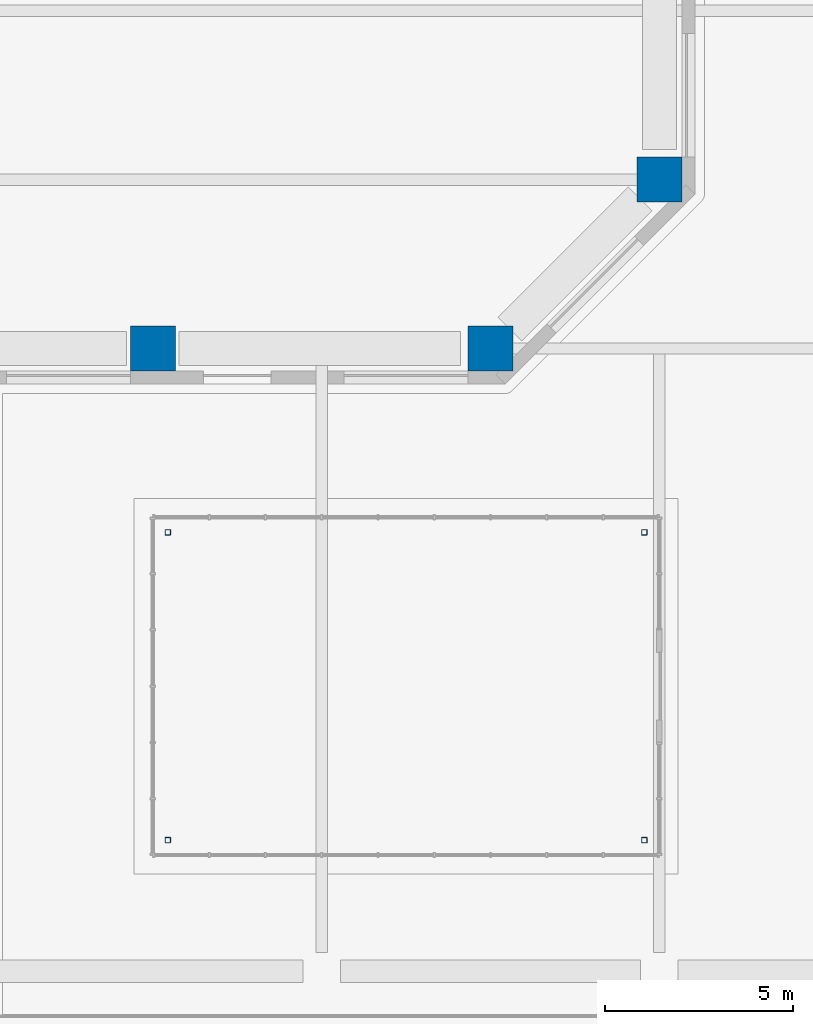
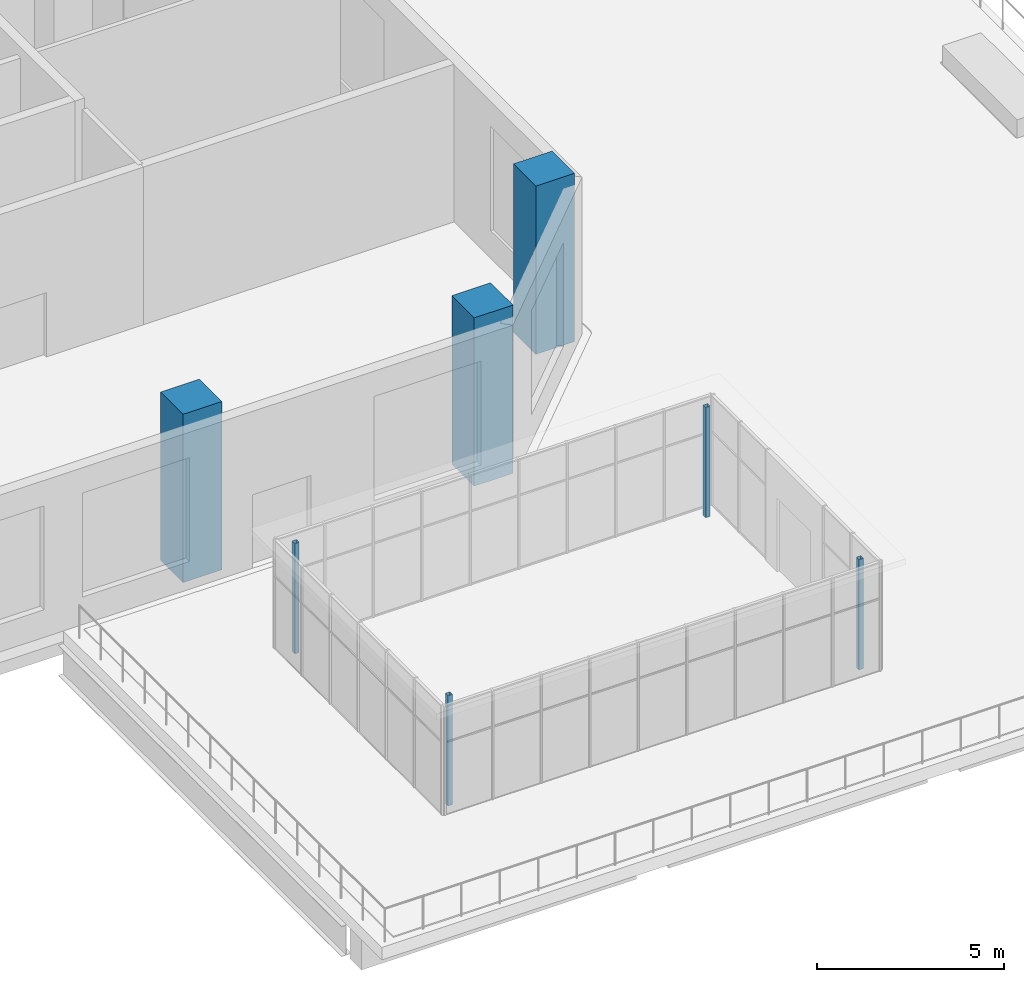
# One storey, part 3 of 33: 7 columns.
"""IFC4 building model written with IfcOpenShell, lengths in metres."""

from ifc_helpers import new_model, si_unit, direction, frame, origin, origin_2d, place, context, subcontext, project, spatial, rectangle, hollow_rectangle, extrude, material, material_profile, profile_set, type_object, element, save


model = new_model("IFC4")

# Units and contexts
model_context = context("Model", 3, precision=1e-05, world=origin(), true_north=direction((0.0, 1.0)))
body_context = subcontext(model_context, "Body", "Model", "MODEL_VIEW")
ifc_project = project(units=[si_unit("LENGTHUNIT", "METRE"), si_unit("AREAUNIT", "SQUARE_METRE"), si_unit("VOLUMEUNIT", "CUBIC_METRE"), si_unit("PLANEANGLEUNIT", "RADIAN"), si_unit("MASSUNIT", "GRAM", prefix="KILO")], contexts=[model_context])

# Site, building, storey
site_placement = place(None, origin())
site = spatial("IfcSite", under=ifc_project, at=site_placement, CompositionType="ELEMENT")
building_placement = place(site_placement, origin())
building = spatial("IfcBuilding", under=site, at=building_placement, Name="Quoin Convention Tower", CompositionType="ELEMENT")
storey_placement = place(building_placement, frame((0.0, 0.0, 8.0)))
storey = spatial("IfcBuildingStorey", under=building, at=storey_placement, Name="L01", CompositionType="ELEMENT", Elevation=8.0)

# Columns
ifc_material_1 = material(Name="Steel Grade 350", Category="steel")
ifc_material_profile_1 = material_profile(ifc_material_1, hollow_rectangle(XDim=0.14990234375, YDim=0.14990234375, WallThickness=0.008056640625, InnerFilletRadius=0.011962890625, OuterFilletRadius=0.02001953125, at=origin_2d()), Name="150x150x8.0SHS")
ifc_profile_set_1 = profile_set([ifc_material_profile_1], Name="Steel Grade 350")
column_type_1 = type_object("IfcColumnType", Name="Pavilion column 150x150x8.0SHS", PredefinedType="COLUMN", material=ifc_profile_set_1)
for number, where, z_axis, x_axis, name in (
    (1, (67.89990234375, 4.89990234375, 0.0), (0.0, 0.0, 1.0), (1.0, 0.0, 0.0), "col-PAV-E1"),
    (2, (67.89990234375, 13.10009765625, 0.0), (0.0, 0.0, 1.0), (1.0, 0.0, 0.0), "col-PAV-E2"),
    (3, (80.60009765625, 4.89990234375, 0.0), (0.0, 0.0, 1.0), (1.0, 0.0, 0.0), "col-PAV-E3"),
    (4, (80.60009765625, 13.10009765625, 0.0), (0.0, 0.0, 1.0), (1.0, 0.0, 0.0), "col-PAV-E4"),
):
    element("IfcColumn", number, at=place(storey_placement, frame(where, z_axis=z_axis, x_axis=x_axis)), inside=storey, type_object=column_type_1, Name=name, PredefinedType="COLUMN", context=body_context, shape_type="SweptSolid", body=[
        extrude(hollow_rectangle(XDim=0.14990234375, YDim=0.14990234375, WallThickness=0.008056640625, InnerFilletRadius=0.011962890625, OuterFilletRadius=0.02001953125, at=origin_2d()), origin(), (0.0, 0.0, 1.0), 3.60009765625),
    ])
ifc_material_2 = material(Name="Concrete C100 (100 MPa)", Category="concrete")
ifc_material_profile_2 = material_profile(ifc_material_2, rectangle(XDim=1.199951171875, YDim=1.199951171875, at=origin_2d()), Name="RC 1200x1200")
ifc_profile_set_2 = profile_set([ifc_material_profile_2], Name="Concrete C100 (100 MPa)")
column_type_2 = type_object("IfcColumnType", Name="RC 1200x1200 C100", PredefinedType="COLUMN", material=ifc_profile_set_2)
for number, where, z_axis, x_axis, name in (
    (5, (67.5, 18.0, 0.0), (0.0, 0.0, 1.0), (1.0, 0.0, 0.0), "col-L01-67500_18000"),
    (6, (76.5, 18.0, 0.0), (0.0, 0.0, 1.0), (1.0, 0.0, 0.0), "col-L01-76500_18000"),
    (7, (81.0, 22.5, 0.0), (0.0, 0.0, 1.0), (1.0, 0.0, 0.0), "col-L01-81000_22500"),
):
    element("IfcColumn", number, at=place(storey_placement, frame(where, z_axis=z_axis, x_axis=x_axis)), inside=storey, type_object=column_type_2, Name=name, PredefinedType="COLUMN", context=body_context, shape_type="SweptSolid", body=[
        extrude(rectangle(XDim=1.199951171875, YDim=1.199951171875, at=origin_2d()), origin(), (0.0, 0.0, 1.0), 5.5),
    ])

save(model, "model.ifc")
